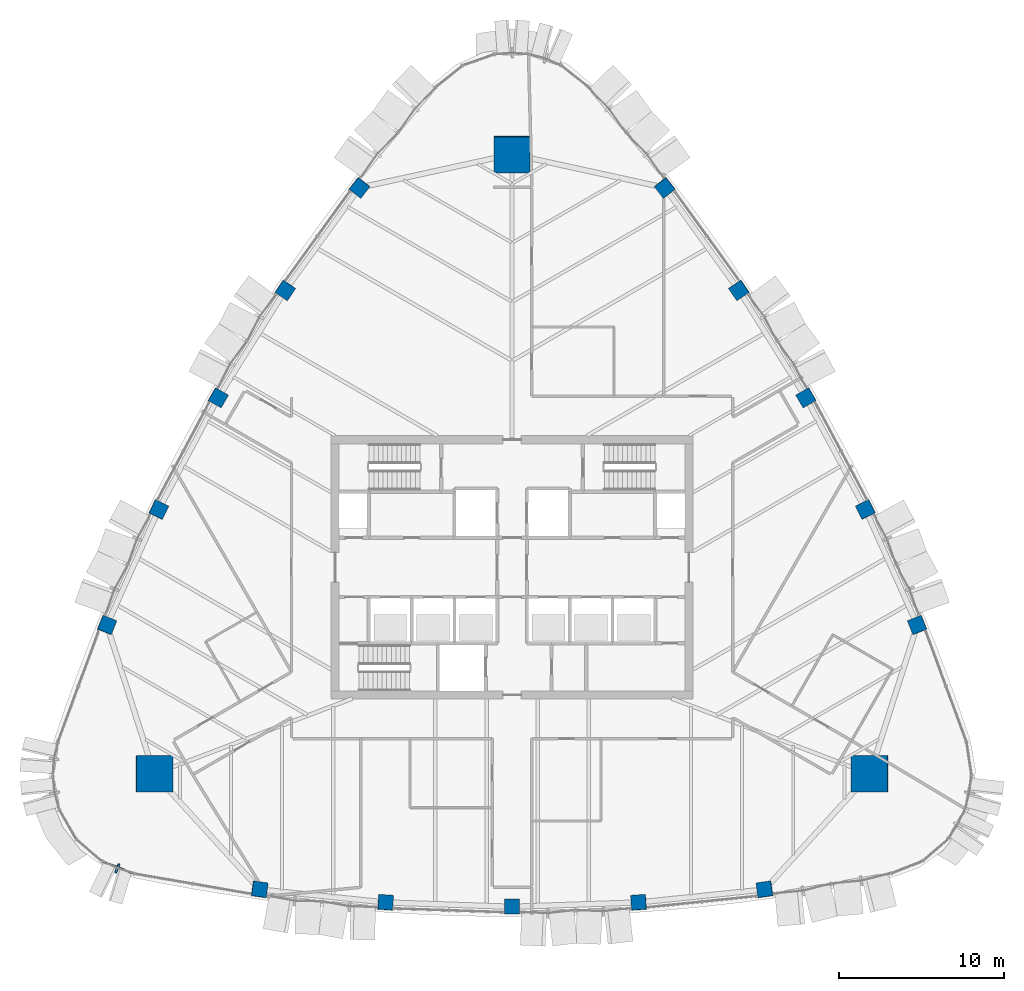
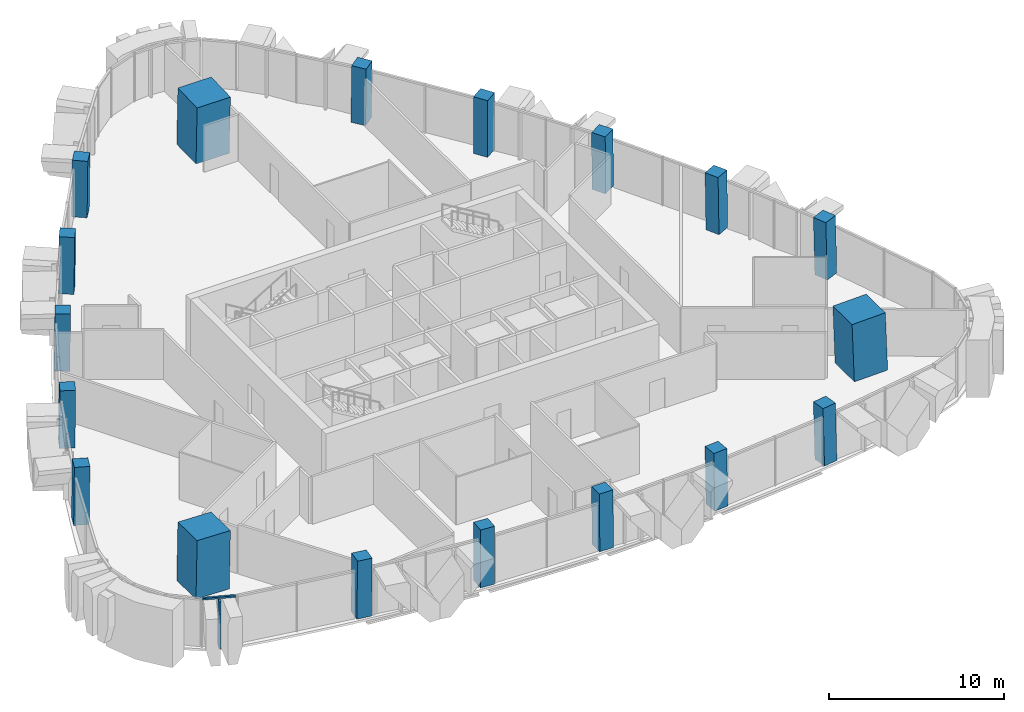
# One storey, part 1 of 18: 18 columns, 2 members, 1 element without a shape of its own.
"""IFC4 building model written with IfcOpenShell, lengths in metres."""

from ifc_helpers import new_model, si_unit, direction, frame, origin, origin_2d, place, context, subcontext, project, spatial, rectangle, extrude, material, layer, layer_set, material_profile, profile_set, type_object, element, aggregate, save


model = new_model("IFC4")

# Units and contexts
model_context = context("Model", 3, precision=1e-05, world=origin(), true_north=direction((0.0, 1.0)))
body_context = subcontext(model_context, "Body", "Model", "MODEL_VIEW")
ifc_project = project(units=[si_unit("LENGTHUNIT", "METRE"), si_unit("AREAUNIT", "SQUARE_METRE"), si_unit("VOLUMEUNIT", "CUBIC_METRE"), si_unit("PLANEANGLEUNIT", "RADIAN"), si_unit("MASSUNIT", "GRAM", prefix="KILO")], contexts=[model_context])

# Site, building, storey
site_placement = place(None, origin())
site = spatial("IfcSite", under=ifc_project, at=site_placement, CompositionType="ELEMENT")
building_placement = place(site_placement, origin())
building = spatial("IfcBuilding", under=site, at=building_placement, Name="Sierra Prisma Convention Tower", CompositionType="ELEMENT")
storey_placement = place(building_placement, frame((0.0, 0.0, 251.0)))
storey = spatial("IfcBuildingStorey", under=building, at=storey_placement, Name="L56", CompositionType="ELEMENT", Elevation=251.0)

# Columns
ifc_material_1 = material(Name="Concrete C50/60", Category="concrete")
ifc_material_profile_1 = material_profile(ifc_material_1, rectangle(XDim=2.199951171875, YDim=2.199951171875, at=origin_2d()), Name="Mega column RC 2200 C50/60")
ifc_profile_set_1 = profile_set([ifc_material_profile_1], Name="Concrete C50/60")
column_type_1 = type_object("IfcColumnType", Name="Mega column RC 2200 C50/60", PredefinedType="COLUMN", material=ifc_profile_set_1)
for number, where, z_axis, x_axis, name in (
    (1, (21.734619140625, -12.548583984375, 0.0), (-0.027817649629, 0.016104955049, 0.999483270892), (0.999613014306, 0.000448175434, 0.027814039075), "Mega column SE L56"),
    (2, (0.0, 25.096923828125, 0.0), (0.0, -0.032148900677, 0.999483090495), (1.0, 0.0, 0.0), "Mega column N L56"),
    (3, (-21.734619140625, -12.548583984375, 0.0), (0.027817649629, 0.016104955049, 0.999483270892), (0.999613014306, -0.000448175434, -0.027814039075), "Mega column SW L56"),
):
    element("IfcColumn", number, at=place(storey_placement, frame(where, z_axis=z_axis, x_axis=x_axis)), inside=storey, type_object=column_type_1, Name=name, PredefinedType="COLUMN", context=body_context, shape_type="SweptSolid", body=[
        extrude(rectangle(XDim=2.199951171875, YDim=2.199951171875, at=origin_2d()), origin(), (0.0, 0.0, 1.0), 4.001953125),
    ])
ifc_material_2 = material(Name="Concrete C50/60", Category="concrete")
ifc_material_profile_2 = material_profile(ifc_material_2, rectangle(XDim=0.89990234375, YDim=0.89990234375, at=origin_2d()), Name="Perimeter column RC 900 C50/60")
ifc_profile_set_2 = profile_set([ifc_material_profile_2], Name="Concrete C50/60")
column_type_2 = type_object("IfcColumnType", Name="Perimeter column RC 900 C50/60", PredefinedType="COLUMN", material=ifc_profile_set_2)
column_1_placement = place(storey_placement, frame((-15.341064453125, -19.563720703125, 0.0), z_axis=(0.017513449354, 0.010434842647, 0.99979217498), x_axis=(-0.990510670136, 0.136509968216, 0.015926108262)))
element("IfcColumn", 4, at=column_1_placement, inside=storey, type_object=column_type_2, Name="Perimeter column S-1 L56", PredefinedType="COLUMN", context=body_context, shape_type="SweptSolid", body=[
    extrude(rectangle(XDim=0.89990234375, YDim=0.89990234375, at=origin_2d()), origin(), (0.0, 0.0, 1.0), 4.000732421875),
])
column_2_placement = place(storey_placement, frame((-7.6884765625, -20.351318359375, 0.0), z_axis=(0.008788174922, 0.01116830563, 0.999899013366), x_axis=(-0.997624454716, 0.068420639532, 0.008003963894)))
element("IfcColumn", 5, at=column_2_placement, inside=storey, type_object=column_type_2, Name="Perimeter column S-2 L56", PredefinedType="COLUMN", context=body_context, shape_type="SweptSolid", body=[
    extrude(rectangle(XDim=0.89990234375, YDim=0.89990234375, at=origin_2d()), origin(), (0.0, 0.0, 1.0), 4.00048828125),
])
column_3_placement = place(storey_placement, frame((0.0, -20.6142578125, 0.0), z_axis=(0.0, 0.01141283087, 0.999934871525), x_axis=(1.0, 0.0, 0.0)))
element("IfcColumn", 6, at=column_3_placement, inside=storey, type_object=column_type_2, Name="Perimeter column S-3 L56", PredefinedType="COLUMN", context=body_context, shape_type="SweptSolid", body=[
    extrude(rectangle(XDim=0.89990234375, YDim=0.89990234375, at=origin_2d()), origin(), (0.0, 0.0, 1.0), 4.000244140625),
])
column_4_placement = place(storey_placement, frame((7.6884765625, -20.351318359375, 0.0), z_axis=(-0.008788174922, 0.01116830563, 0.999899013366), x_axis=(0.997624454716, 0.068420639532, 0.008003963894)))
element("IfcColumn", 7, at=column_4_placement, inside=storey, type_object=column_type_2, Name="Perimeter column S-4 L56", PredefinedType="COLUMN", context=body_context, shape_type="SweptSolid", body=[
    extrude(rectangle(XDim=0.89990234375, YDim=0.89990234375, at=origin_2d()), origin(), (0.0, 0.0, 1.0), 4.00048828125),
])
for number, where, z_axis, x_axis, name in (
    (8, (15.341064453125, -19.563720703125, 0.0), (-0.017513449354, 0.010434842647, 0.99979217498), (0.990510670136, 0.136509968216, 0.015926108262), "Perimeter column S-5 L56"),
    (9, (24.613037109375, -3.50390625, 0.0), (-0.017757551143, 0.009946669541, 0.999792845115), (-0.377201101393, 0.925994674121, -0.015912027123), "Perimeter column NE-1 L56"),
):
    element("IfcColumn", number, at=place(storey_placement, frame(where, z_axis=z_axis, x_axis=x_axis)), inside=storey, type_object=column_type_2, Name=name, PredefinedType="COLUMN", context=body_context, shape_type="SweptSolid", body=[
        extrude(rectangle(XDim=0.89990234375, YDim=0.89990234375, at=origin_2d()), origin(), (0.0, 0.0, 1.0), 4.000732421875),
    ])
column_5_placement = place(storey_placement, frame((21.468994140625, 3.51708984375, 0.0), z_axis=(-0.014036674448, 0.002013957638, 0.999899452818), x_axis=(-0.439615277351, 0.898150723159, -0.007980376444)))
element("IfcColumn", 10, at=column_5_placement, inside=storey, type_object=column_type_2, Name="Perimeter column NE-2 L56", PredefinedType="COLUMN", context=body_context, shape_type="SweptSolid", body=[
    extrude(rectangle(XDim=0.89990234375, YDim=0.89990234375, at=origin_2d()), origin(), (0.0, 0.0, 1.0), 4.00048828125),
])
column_6_placement = place(storey_placement, frame((17.8525390625, 10.30712890625, 0.0), z_axis=(-0.009887049298, -0.00573692984, 0.999934664812), x_axis=(-0.499975560967, 0.866039512843, 2.5126546e-05)))
element("IfcColumn", 11, at=column_6_placement, inside=storey, type_object=column_type_2, Name="Perimeter column NE-3 L56", PredefinedType="COLUMN", context=body_context, shape_type="SweptSolid", body=[
    extrude(rectangle(XDim=0.89990234375, YDim=0.89990234375, at=origin_2d()), origin(), (0.0, 0.0, 1.0), 4.000244140625),
])
column_7_placement = place(storey_placement, frame((13.780517578125, 16.833984375, 0.0), z_axis=(-0.00530952661, -0.013121243922, 0.999899815924), x_axis=(-0.557996523735, 0.829805432153, 0.007926176169)))
element("IfcColumn", 12, at=column_7_placement, inside=storey, type_object=column_type_2, Name="Perimeter column NE-4 L56", PredefinedType="COLUMN", context=body_context, shape_type="SweptSolid", body=[
    extrude(rectangle(XDim=0.89990234375, YDim=0.89990234375, at=origin_2d()), origin(), (0.0, 0.0, 1.0), 4.00048828125),
])
for number, where, z_axis, x_axis, name in (
    (13, (9.27197265625, 23.067626953125, 0.0), (-0.000244089904, -0.020381506962, 0.999792245716), (-0.613402004991, 0.789609823037, 0.015947025932), "Perimeter column NE-5 L56"),
    (14, (-9.27197265625, 23.067626953125, 0.0), (0.000244089904, -0.020381506962, 0.999792245716), (0.613402004991, 0.789609823037, 0.015947025932), "Perimeter column NW-1 L56"),
):
    element("IfcColumn", number, at=place(storey_placement, frame(where, z_axis=z_axis, x_axis=x_axis)), inside=storey, type_object=column_type_2, Name=name, PredefinedType="COLUMN", context=body_context, shape_type="SweptSolid", body=[
        extrude(rectangle(XDim=0.89990234375, YDim=0.89990234375, at=origin_2d()), origin(), (0.0, 0.0, 1.0), 4.000732421875),
    ])
column_8_placement = place(storey_placement, frame((-13.780517578125, 16.833984375, 0.0), z_axis=(0.00530952661, -0.013121243922, 0.999899815924), x_axis=(0.557996523735, 0.829805432153, 0.007926176169)))
element("IfcColumn", 15, at=column_8_placement, inside=storey, type_object=column_type_2, Name="Perimeter column NW-2 L56", PredefinedType="COLUMN", context=body_context, shape_type="SweptSolid", body=[
    extrude(rectangle(XDim=0.89990234375, YDim=0.89990234375, at=origin_2d()), origin(), (0.0, 0.0, 1.0), 4.00048828125),
])
column_9_placement = place(storey_placement, frame((-17.8525390625, 10.30712890625, 0.0), z_axis=(0.009887049298, -0.00573692984, 0.999934664812), x_axis=(0.499975560967, 0.866039512843, 2.5126546e-05)))
element("IfcColumn", 16, at=column_9_placement, inside=storey, type_object=column_type_2, Name="Perimeter column NW-3 L56", PredefinedType="COLUMN", context=body_context, shape_type="SweptSolid", body=[
    extrude(rectangle(XDim=0.89990234375, YDim=0.89990234375, at=origin_2d()), origin(), (0.0, 0.0, 1.0), 4.000244140625),
])
column_10_placement = place(storey_placement, frame((-21.468994140625, 3.51708984375, 0.0), z_axis=(0.014036674448, 0.002013957638, 0.999899452818), x_axis=(0.439615277351, 0.898150723159, -0.007980376444)))
element("IfcColumn", 17, at=column_10_placement, inside=storey, type_object=column_type_2, Name="Perimeter column NW-4 L56", PredefinedType="COLUMN", context=body_context, shape_type="SweptSolid", body=[
    extrude(rectangle(XDim=0.89990234375, YDim=0.89990234375, at=origin_2d()), origin(), (0.0, 0.0, 1.0), 4.00048828125),
])
column_11_placement = place(storey_placement, frame((-24.613037109375, -3.50390625, 0.0), z_axis=(0.017757551143, 0.009946669541, 0.999792845115), x_axis=(0.377201101393, 0.925994674121, -0.015912027123)))
element("IfcColumn", 18, at=column_11_placement, inside=storey, type_object=column_type_2, Name="Perimeter column NW-5 L56", PredefinedType="COLUMN", context=body_context, shape_type="SweptSolid", body=[
    extrude(rectangle(XDim=0.89990234375, YDim=0.89990234375, at=origin_2d()), origin(), (0.0, 0.0, 1.0), 4.000732421875),
])

# Curtain wall, members
ifc_material_3 = material(Name="Aluminium and glass curtain wall", Category="aluminium")
ifc_layer = layer(ifc_material_3, 0.179931640625)
ifc_layer_set = layer_set([ifc_layer], Name="CW-2 Faceted crystal curtain wall")
curtain_wall_type = type_object("IfcCurtainWallType", Name="CW-2 Faceted crystal curtain wall", PredefinedType="NOTDEFINED", material=ifc_layer_set)
curtain_wall_placement = place(storey_placement, origin())
curtain_wall = element("IfcCurtainWall", 19, at=curtain_wall_placement, inside=storey, type_object=curtain_wall_type, Name="CW-2 SW5 L56", PredefinedType="NOTDEFINED")
ifc_material_4 = material(Name="Aluminium 6063-T6 bronze anodised", Category="aluminium")
ifc_material_profile_3 = material_profile(ifc_material_4, rectangle(XDim=0.1201171875, YDim=0.60009765625, at=origin_2d()), Name="ALU RIDGE BLADE 120x600")
ifc_profile_set_3 = profile_set([ifc_material_profile_3], Name="Aluminium 6063-T6 bronze anodised")
member_type_1 = type_object("IfcMemberType", Name="CW hip bronze", PredefinedType="MULLION", material=ifc_profile_set_3)
member_1_placement = place(storey_placement, frame((-23.985107421875, -18.290283203125, 0.0), z_axis=(0.0, 0.0, 1.0), x_axis=(0.931036420765, -0.364926270923, 0.0)))
member_1 = element("IfcMember", 20, at=member_1_placement, type_object=member_type_1, Name="CW-2 ridge SW5.1", PredefinedType="MULLION", context=body_context, shape_type="SweptSolid", body=[
    extrude(rectangle(XDim=0.1201171875, YDim=0.60009765625, at=origin_2d()), origin(), (0.0, 0.0, 1.0), 3.280029296875),
])
ifc_material_5 = material(Name="Aluminium 6063-T6 bronze anodised", Category="aluminium")
ifc_material_profile_4 = material_profile(ifc_material_5, rectangle(XDim=0.139892578125, YDim=0.1201171875, at=origin_2d()), Name="ALU TRANSOM 120x140")
ifc_profile_set_4 = profile_set([ifc_material_profile_4], Name="Aluminium 6063-T6 bronze anodised")
member_type_2 = type_object("IfcMemberType", Name="CW transom bronze", PredefinedType="USERDEFINED", material=ifc_profile_set_4)
member_2_placement = place(storey_placement, frame((-24.8564453125, -17.8671875, 3.340087890625), z_axis=(0.931026264105, -0.364952182549, 0.0), x_axis=(0.364952182549, 0.931026264105, 0.0)))
member_2 = element("IfcMember", 21, at=member_2_placement, type_object=member_type_2, Name="CW-1 transom SW5.1", ObjectType="TRANSOM", PredefinedType="USERDEFINED", context=body_context, shape_type="SweptSolid", body=[
    extrude(rectangle(XDim=0.139892578125, YDim=0.1201171875, at=origin_2d()), origin(), (0.0, 0.0, 1.0), 1.931396484375),
])
aggregate(curtain_wall, [member_2, member_1])

save(model, "model.ifc")
